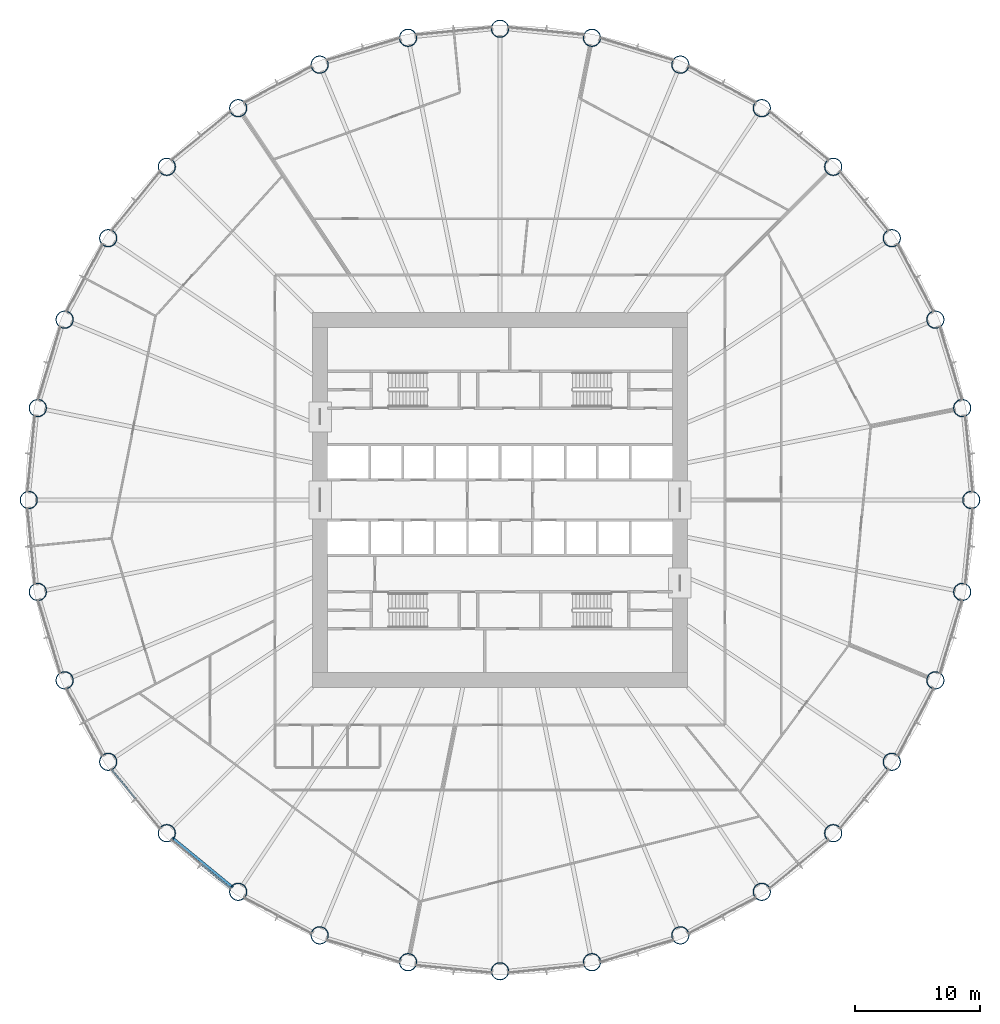
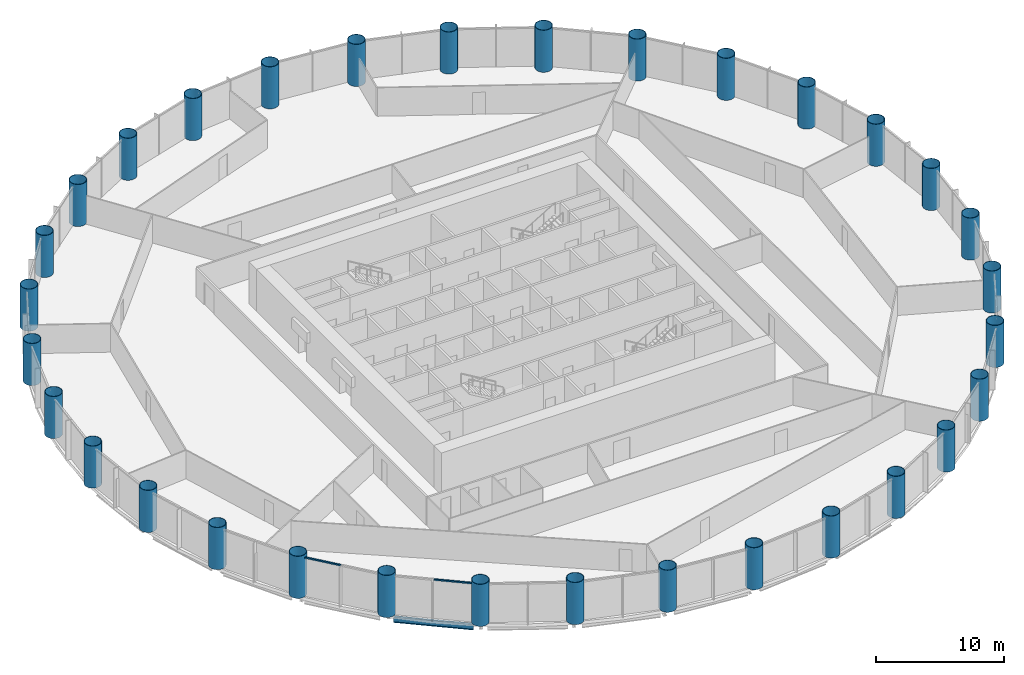
# One storey, part 1 of 15: 32 columns, 2 members, 1 beam, 2 elements without a shape of their own.
"""IFC4 building model written with IfcOpenShell, lengths in metres."""

from ifc_helpers import new_model, si_unit, direction, frame, origin, origin_2d, place, context, subcontext, project, spatial, rectangle, hollow_circle, i_section, extrude, material, material_profile, profile_set, type_object, element, aggregate, save


model = new_model("IFC4")

# Units and contexts
model_context = context("Model", 3, precision=1e-05, world=origin(), true_north=direction((0.0, 1.0)))
body_context = subcontext(model_context, "Body", "Model", "MODEL_VIEW")
ifc_project = project(units=[si_unit("LENGTHUNIT", "METRE"), si_unit("AREAUNIT", "SQUARE_METRE"), si_unit("VOLUMEUNIT", "CUBIC_METRE"), si_unit("PLANEANGLEUNIT", "RADIAN"), si_unit("MASSUNIT", "GRAM", prefix="KILO")], contexts=[model_context])

# Site, building, storey
site_placement = place(None, origin())
site = spatial("IfcSite", under=ifc_project, at=site_placement, CompositionType="ELEMENT")
building_placement = place(site_placement, origin())
building = spatial("IfcBuilding", under=site, at=building_placement, Name="Corvane Civic Tower", CompositionType="ELEMENT")
storey_placement = place(building_placement, frame((0.0, 0.0, 41.0)))
storey = spatial("IfcBuildingStorey", under=building, at=storey_placement, Name="L08", CompositionType="ELEMENT", Elevation=41.0)

# Columns
ifc_material_1 = material(Name="Steel ASTM A572 Gr 50", Category="steel")
ifc_material_profile_1 = material_profile(ifc_material_1, hollow_circle(Radius=0.699951171875, WallThickness=0.0400390625, at=origin_2d()), Name="CHS1400X40")
ifc_profile_set_1 = profile_set([ifc_material_profile_1], Name="Steel ASTM A572 Gr 50")
column_type = type_object("IfcColumnType", Name="COMPOSITE COLUMN CHS1400X40", PredefinedType="COLUMN", material=ifc_profile_set_1)
for number, where, z_axis, x_axis, name in (
    (1, (0.0, 37.699951171875, 0.0), (0.0, 0.0, 1.0), (1.0, 0.0, 0.0), "COL-L08-A01"),
    (2, (7.35498046875, 36.9755859375, 0.0), (0.0, 0.0, 1.0), (1.0, 0.0, 0.0), "COL-L08-A02"),
    (3, (14.42724609375, 34.830322265625, 0.0), (0.0, 0.0, 1.0), (1.0, 0.0, 0.0), "COL-L08-A03"),
    (4, (20.945068359375, 31.346435546875, 0.0), (0.0, 0.0, 1.0), (1.0, 0.0, 0.0), "COL-L08-A04"),
    (5, (26.657958984375, 26.657958984375, 0.0), (0.0, 0.0, 1.0), (1.0, 0.0, 0.0), "COL-L08-A05"),
    (6, (31.346435546875, 20.945068359375, 0.0), (0.0, 0.0, 1.0), (1.0, 0.0, 0.0), "COL-L08-A06"),
    (7, (34.830322265625, 14.42724609375, 0.0), (0.0, 0.0, 1.0), (1.0, 0.0, 0.0), "COL-L08-A07"),
    (8, (36.9755859375, 7.35498046875, 0.0), (0.0, 0.0, 1.0), (1.0, 0.0, 0.0), "COL-L08-A08"),
    (9, (37.699951171875, 0.0, 0.0), (0.0, 0.0, 1.0), (1.0, 0.0, 0.0), "COL-L08-A09"),
    (10, (36.9755859375, -7.35498046875, 0.0), (0.0, 0.0, 1.0), (1.0, 0.0, 0.0), "COL-L08-A10"),
    (11, (34.830322265625, -14.42724609375, 0.0), (0.0, 0.0, 1.0), (1.0, 0.0, 0.0), "COL-L08-A11"),
    (12, (31.346435546875, -20.945068359375, 0.0), (0.0, 0.0, 1.0), (1.0, 0.0, 0.0), "COL-L08-A12"),
    (13, (26.657958984375, -26.657958984375, 0.0), (0.0, 0.0, 1.0), (1.0, 0.0, 0.0), "COL-L08-A13"),
    (14, (20.945068359375, -31.346435546875, 0.0), (0.0, 0.0, 1.0), (1.0, 0.0, 0.0), "COL-L08-A14"),
    (15, (14.42724609375, -34.830322265625, 0.0), (0.0, 0.0, 1.0), (1.0, 0.0, 0.0), "COL-L08-A15"),
    (16, (7.35498046875, -36.9755859375, 0.0), (0.0, 0.0, 1.0), (1.0, 0.0, 0.0), "COL-L08-A16"),
    (17, (0.0, -37.699951171875, 0.0), (0.0, 0.0, 1.0), (1.0, 0.0, 0.0), "COL-L08-A17"),
    (18, (-7.35498046875, -36.9755859375, 0.0), (0.0, 0.0, 1.0), (1.0, 0.0, 0.0), "COL-L08-A18"),
    (19, (-14.42724609375, -34.830322265625, 0.0), (0.0, 0.0, 1.0), (1.0, 0.0, 0.0), "COL-L08-A19"),
    (20, (-20.945068359375, -31.346435546875, 0.0), (0.0, 0.0, 1.0), (1.0, 0.0, 0.0), "COL-L08-A20"),
    (21, (-26.657958984375, -26.657958984375, 0.0), (0.0, 0.0, 1.0), (1.0, 0.0, 0.0), "COL-L08-A21"),
    (22, (-31.346435546875, -20.945068359375, 0.0), (0.0, 0.0, 1.0), (1.0, 0.0, 0.0), "COL-L08-A22"),
    (23, (-34.830322265625, -14.42724609375, 0.0), (0.0, 0.0, 1.0), (1.0, 0.0, 0.0), "COL-L08-A23"),
    (24, (-36.9755859375, -7.35498046875, 0.0), (0.0, 0.0, 1.0), (1.0, 0.0, 0.0), "COL-L08-A24"),
    (25, (-37.699951171875, 0.0, 0.0), (0.0, 0.0, 1.0), (1.0, 0.0, 0.0), "COL-L08-A25"),
    (26, (-36.9755859375, 7.35498046875, 0.0), (0.0, 0.0, 1.0), (1.0, 0.0, 0.0), "COL-L08-A26"),
    (27, (-34.830322265625, 14.42724609375, 0.0), (0.0, 0.0, 1.0), (1.0, 0.0, 0.0), "COL-L08-A27"),
    (28, (-31.346435546875, 20.945068359375, 0.0), (0.0, 0.0, 1.0), (1.0, 0.0, 0.0), "COL-L08-A28"),
    (29, (-26.657958984375, 26.657958984375, 0.0), (0.0, 0.0, 1.0), (1.0, 0.0, 0.0), "COL-L08-A29"),
    (30, (-20.945068359375, 31.346435546875, 0.0), (0.0, 0.0, 1.0), (1.0, 0.0, 0.0), "COL-L08-A30"),
    (31, (-14.42724609375, 34.830322265625, 0.0), (0.0, 0.0, 1.0), (1.0, 0.0, 0.0), "COL-L08-A31"),
    (32, (-7.35498046875, 36.9755859375, 0.0), (0.0, 0.0, 1.0), (1.0, 0.0, 0.0), "COL-L08-A32"),
):
    element("IfcColumn", number, at=place(storey_placement, frame(where, z_axis=z_axis, x_axis=x_axis)), inside=storey, type_object=column_type, Name=name, PredefinedType="COLUMN", context=body_context, shape_type="SweptSolid", body=[
        extrude(hollow_circle(Radius=0.699951171875, WallThickness=0.0400390625, at=origin_2d()), origin(), (0.0, 0.0, 1.0), 4.0),
    ])

# Beam
ifc_material_2 = material(Name="Steel ASTM A992 Gr 50", Category="steel")
ifc_material_profile_2 = material_profile(ifc_material_2, i_section(OverallWidth=0.209228515625, OverallDepth=0.533447265625, WebThickness=0.01025390625, FlangeThickness=0.015625, at=origin_2d()), Name="W21X62")
ifc_profile_set_2 = profile_set([ifc_material_profile_2], Name="Steel ASTM A992 Gr 50")
beam_type = type_object("IfcBeamType", Name="EDGE BEAM W21X62", PredefinedType="BEAM", material=ifc_profile_set_2)
beam_placement = place(storey_placement, frame((-21.3701171875, -30.99755859375, -0.566650390625), z_axis=(-0.773015785286, 0.634386787141, 0.0), x_axis=(-0.634386787141, -0.773015785286, 0.0)))
element("IfcBeam", 33, at=beam_placement, inside=storey, type_object=beam_type, Name="BM-L08-E20", PredefinedType="BEAM", context=body_context, shape_type="SweptSolid", body=[
    extrude(i_section(OverallWidth=0.209228515625, OverallDepth=0.533447265625, WebThickness=0.01025390625, FlangeThickness=0.015625, at=origin_2d()), origin(), (0.0, 0.0, 1.0), 6.290771484375),
])

# Curtain wall, member
ifc_material_3 = material(Name="Anodised aluminium bronze", Category="aluminium")
curtain_wall_type = type_object("IfcCurtainWallType", Name="TOWER CW-T1 STICK CURTAIN WALL", PredefinedType="NOTDEFINED", material=ifc_material_3)
curtain_wall_1_placement = place(storey_placement, origin())
curtain_wall_1 = element("IfcCurtainWall", 34, at=curtain_wall_1_placement, inside=storey, type_object=curtain_wall_type, Name="Curtain wall CW-T1 L08 bay 20", PredefinedType="NOTDEFINED")
ifc_material_4 = material(Name="Anodised aluminium bronze", Category="aluminium")
ifc_material_profile_3 = material_profile(ifc_material_4, rectangle(XDim=0.139892578125, YDim=0.1201171875, at=origin_2d()), Name="TOWER CW-T1 TRANSOM 140x120")
ifc_profile_set_3 = profile_set([ifc_material_profile_3], Name="Anodised aluminium bronze")
member_type = type_object("IfcMemberType", Name="TOWER CW-T1 TRANSOM 140x120", PredefinedType="USERDEFINED", material=ifc_profile_set_3)
member_1_placement = place(storey_placement, frame((-21.55859375, -31.074462890625, 3.68994140625), z_axis=(-0.773041738279, 0.634355161466, 0.0), x_axis=(-0.634355161466, -0.773041738279, 0.0)))
member_1 = element("IfcMember", 35, at=member_1_placement, type_object=member_type, Name="Transom CW-T1 L08 20.1", ObjectType="TRANSOM", PredefinedType="USERDEFINED", context=body_context, shape_type="SweptSolid", body=[
    extrude(rectangle(XDim=0.139892578125, YDim=0.1201171875, at=origin_2d()), origin(), (0.0, 0.0, 1.0), 3.008544921875),
])
aggregate(curtain_wall_1, [member_1])

curtain_wall_2_placement = place(storey_placement, origin())
curtain_wall_2 = element("IfcCurtainWall", 36, at=curtain_wall_2_placement, inside=storey, type_object=curtain_wall_type, Name="Curtain wall CW-T1 L08 bay 21", PredefinedType="NOTDEFINED")
member_2_placement = place(storey_placement, frame((-29.166015625, -23.88427734375, 3.68994140625), z_axis=(-0.634355161466, 0.773041738279, 0.0), x_axis=(-0.773041738279, -0.634355161466, 0.0)))
member_2 = element("IfcMember", 37, at=member_2_placement, type_object=member_type, Name="Transom CW-T1 L08 21.2", ObjectType="TRANSOM", PredefinedType="USERDEFINED", context=body_context, shape_type="SweptSolid", body=[
    extrude(rectangle(XDim=0.139892578125, YDim=0.1201171875, at=origin_2d()), origin(), (0.0, 0.0, 1.0), 3.008544921875),
])
aggregate(curtain_wall_2, [member_2])

save(model, "model.ifc")
